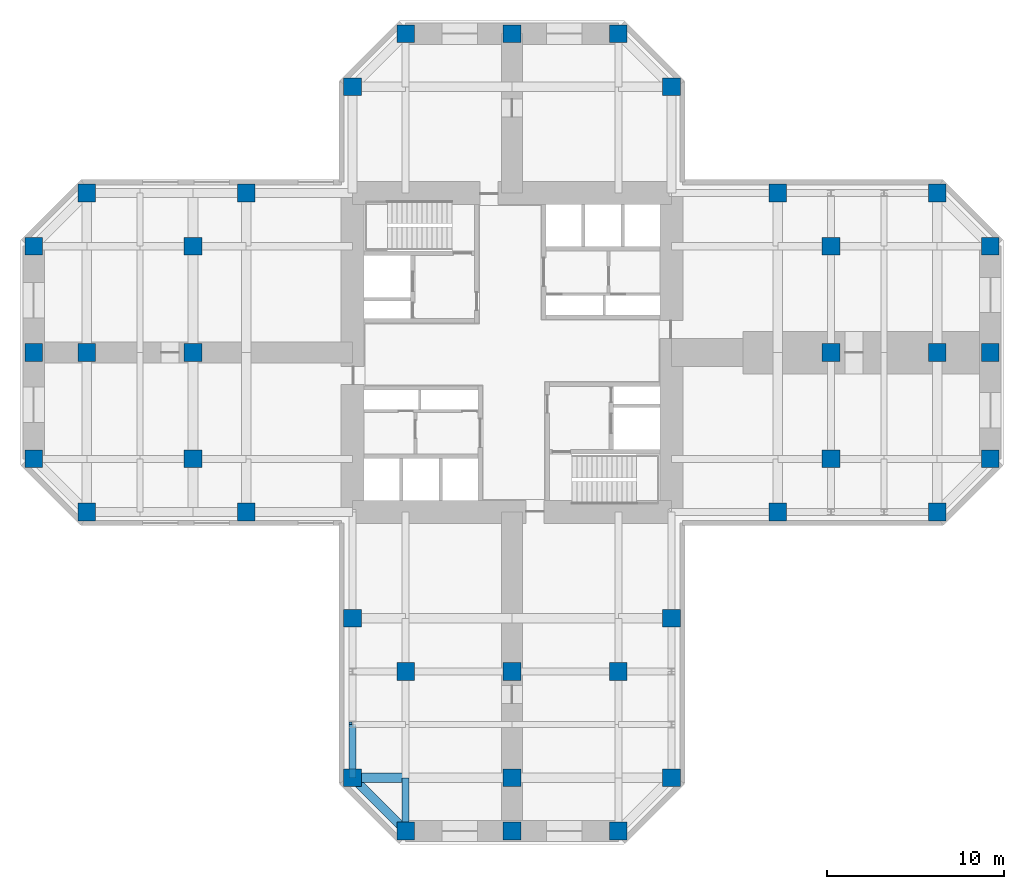
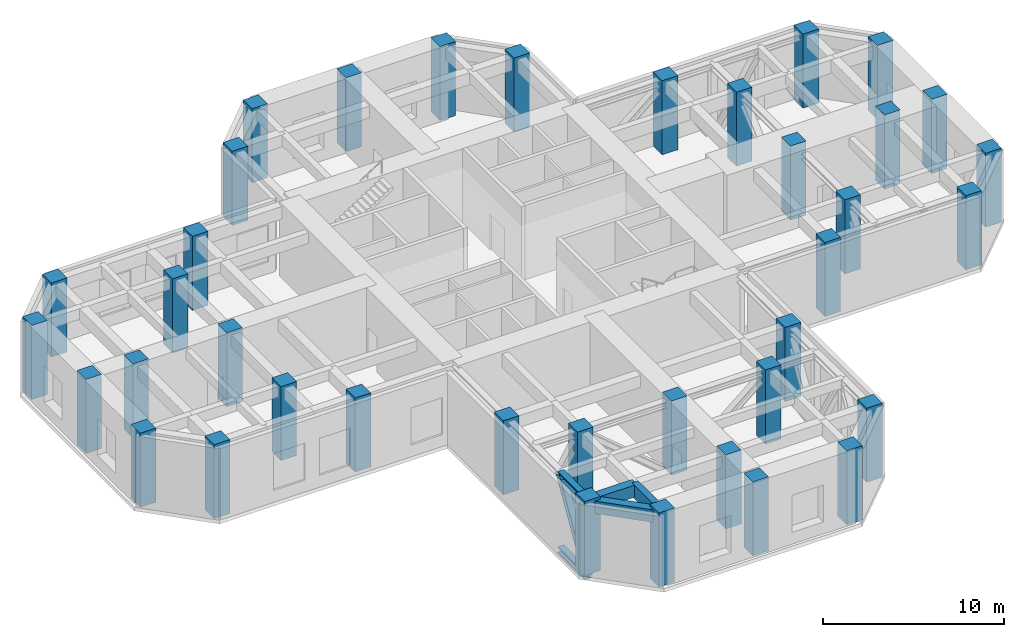
# One storey, part 1 of 8: 38 columns, 3 beams, 3 members.
"""IFC4 building model written with IfcOpenShell, lengths in metres."""

from ifc_helpers import new_model, si_unit, direction, frame, origin, origin_2d, place, context, subcontext, project, spatial, rectangle, i_section, extrude, material, material_profile, profile_set, type_object, element, save


model = new_model("IFC4")

# Units and contexts
model_context = context("Model", 3, precision=1e-05, world=origin(), true_north=direction((0.0, 1.0)))
body_context = subcontext(model_context, "Body", "Model", "MODEL_VIEW")
ifc_project = project(units=[si_unit("LENGTHUNIT", "METRE"), si_unit("AREAUNIT", "SQUARE_METRE"), si_unit("VOLUMEUNIT", "CUBIC_METRE"), si_unit("PLANEANGLEUNIT", "RADIAN"), si_unit("MASSUNIT", "GRAM", prefix="KILO")], contexts=[model_context])

# Site, building, storey
site_placement = place(None, origin())
site = spatial("IfcSite", under=ifc_project, at=site_placement, CompositionType="ELEMENT")
building_placement = place(site_placement, origin())
building = spatial("IfcBuilding", under=site, at=building_placement, Name="Torre Cruceta", CompositionType="ELEMENT")
storey_placement = place(building_placement, frame((0.0, 0.0, 164.5)))
storey = spatial("IfcBuildingStorey", under=building, at=storey_placement, Name="L40", CompositionType="ELEMENT", Elevation=164.5)

# Columns
ifc_material_1 = material(Name="Concrete G60 (fck 60 MPa)", Category="concrete")
ifc_material_profile_1 = material_profile(ifc_material_1, rectangle(XDim=1.0, YDim=1.0, at=origin_2d()), Name="RC 1000X1000")
ifc_profile_set_1 = profile_set([ifc_material_profile_1], Name="Concrete G60 (fck 60 MPa)")
column_type = type_object("IfcColumnType", Name="COLUMN RC 1000X1000", PredefinedType="COLUMN", material=ifc_profile_set_1)
for number, where, z_axis, x_axis, name in (
    (1, (9.0, 15.0, 0.0), (0.0, 0.0, 1.0), (1.0, 0.0, 0.0), "C5 L40 N chamfer"),
    (2, (-9.0, 15.0, 0.0), (0.0, 0.0, 1.0), (1.0, 0.0, 0.0), "C5 L40 N chamfer"),
    (3, (6.0, 18.0, 0.0), (0.0, 0.0, 1.0), (1.0, 0.0, 0.0), "C5 L40 N tip"),
    (4, (0.0, 18.0, 0.0), (0.0, 0.0, 1.0), (1.0, 0.0, 0.0), "C5 L40 N tip"),
    (5, (-6.0, 18.0, 0.0), (0.0, 0.0, 1.0), (1.0, 0.0, 0.0), "C5 L40 N tip"),
    (6, (15.0, -9.0, 0.0), (0.0, 0.0, 1.0), (1.0, 0.0, 0.0), "C5 L40 E side"),
    (7, (24.0, -9.0, 0.0), (0.0, 0.0, 1.0), (1.0, 0.0, 0.0), "C5 L40 E chamfer"),
    (8, (15.0, 9.0, 0.0), (0.0, 0.0, 1.0), (1.0, 0.0, 0.0), "C5 L40 E side"),
    (9, (24.0, 9.0, 0.0), (0.0, 0.0, 1.0), (1.0, 0.0, 0.0), "C5 L40 E chamfer"),
    (10, (27.0, -6.0, 0.0), (0.0, 0.0, 1.0), (1.0, 0.0, 0.0), "C5 L40 E tip"),
    (11, (27.0, 0.0, 0.0), (0.0, 0.0, 1.0), (1.0, 0.0, 0.0), "C5 L40 E tip"),
    (12, (27.0, 6.0, 0.0), (0.0, 0.0, 1.0), (1.0, 0.0, 0.0), "C5 L40 E tip"),
    (13, (-9.0, -15.0, 0.0), (0.0, 0.0, 1.0), (1.0, 0.0, 0.0), "C5 L40 S side"),
    (14, (-9.0, -24.0, 0.0), (0.0, 0.0, 1.0), (1.0, 0.0, 0.0), "C5 L40 S chamfer"),
    (15, (9.0, -15.0, 0.0), (0.0, 0.0, 1.0), (1.0, 0.0, 0.0), "C5 L40 S side"),
    (16, (9.0, -24.0, 0.0), (0.0, 0.0, 1.0), (1.0, 0.0, 0.0), "C5 L40 S chamfer"),
    (17, (-6.0, -27.0, 0.0), (0.0, 0.0, 1.0), (1.0, 0.0, 0.0), "C5 L40 S tip"),
    (18, (0.0, -27.0, 0.0), (0.0, 0.0, 1.0), (1.0, 0.0, 0.0), "C5 L40 S tip"),
    (19, (6.0, -27.0, 0.0), (0.0, 0.0, 1.0), (1.0, 0.0, 0.0), "C5 L40 S tip"),
    (20, (-15.0, 9.0, 0.0), (0.0, 0.0, 1.0), (1.0, 0.0, 0.0), "C5 L40 W side"),
    (21, (-24.0, 9.0, 0.0), (0.0, 0.0, 1.0), (1.0, 0.0, 0.0), "C5 L40 W chamfer"),
    (22, (-15.0, -9.0, 0.0), (0.0, 0.0, 1.0), (1.0, 0.0, 0.0), "C5 L40 W side"),
    (23, (-24.0, -9.0, 0.0), (0.0, 0.0, 1.0), (1.0, 0.0, 0.0), "C5 L40 W chamfer"),
    (24, (-27.0, 6.0, 0.0), (0.0, 0.0, 1.0), (1.0, 0.0, 0.0), "C5 L40 W tip"),
    (25, (-27.0, 0.0, 0.0), (0.0, 0.0, 1.0), (1.0, 0.0, 0.0), "C5 L40 W tip"),
    (26, (-27.0, -6.0, 0.0), (0.0, 0.0, 1.0), (1.0, 0.0, 0.0), "C5 L40 W tip"),
    (27, (18.0, -6.0, 0.0), (0.0, 0.0, 1.0), (1.0, 0.0, 0.0), "C5 L40 E interior"),
    (28, (18.0, 0.0, 0.0), (0.0, 0.0, 1.0), (1.0, 0.0, 0.0), "C5 L40 E interior"),
    (29, (18.0, 6.0, 0.0), (0.0, 0.0, 1.0), (1.0, 0.0, 0.0), "C5 L40 E interior"),
    (30, (24.0, 0.0, 0.0), (0.0, 0.0, 1.0), (1.0, 0.0, 0.0), "C5 L40 E interior"),
    (31, (-6.0, -18.0, 0.0), (0.0, 0.0, 1.0), (1.0, 0.0, 0.0), "C5 L40 S interior"),
    (32, (0.0, -18.0, 0.0), (0.0, 0.0, 1.0), (1.0, 0.0, 0.0), "C5 L40 S interior"),
    (33, (6.0, -18.0, 0.0), (0.0, 0.0, 1.0), (1.0, 0.0, 0.0), "C5 L40 S interior"),
    (34, (0.0, -24.0, 0.0), (0.0, 0.0, 1.0), (1.0, 0.0, 0.0), "C5 L40 S interior"),
    (35, (-18.0, 6.0, 0.0), (0.0, 0.0, 1.0), (1.0, 0.0, 0.0), "C5 L40 W interior"),
    (36, (-18.0, 0.0, 0.0), (0.0, 0.0, 1.0), (1.0, 0.0, 0.0), "C5 L40 W interior"),
    (37, (-18.0, -6.0, 0.0), (0.0, 0.0, 1.0), (1.0, 0.0, 0.0), "C5 L40 W interior"),
    (38, (-24.0, 0.0, 0.0), (0.0, 0.0, 1.0), (1.0, 0.0, 0.0), "C5 L40 W interior"),
):
    element("IfcColumn", number, at=place(storey_placement, frame(where, z_axis=z_axis, x_axis=x_axis)), inside=storey, type_object=column_type, Name=name, PredefinedType="COLUMN", context=body_context, shape_type="SweptSolid", body=[
        extrude(rectangle(XDim=1.0, YDim=1.0, at=origin_2d()), origin(), (0.0, 0.0, 1.0), 5.0),
    ])

# Beams
ifc_material_2 = material(Name="Concrete G60 (fck 60 MPa)", Category="concrete")
ifc_material_profile_2 = material_profile(ifc_material_2, rectangle(XDim=0.39990234375, YDim=0.89990234375, at=origin_2d()), Name="RC 400X900")
ifc_profile_set_2 = profile_set([ifc_material_profile_2], Name="Concrete G60 (fck 60 MPa)")
beam_type_1 = type_object("IfcBeamType", Name="COLUMN LINE BEAM RC 400X900", PredefinedType="BEAM", material=ifc_profile_set_2)
beam_1_placement = place(storey_placement, frame((-6.0, -24.0, 4.3701171875), z_axis=(0.0, -1.0, 0.0), x_axis=(1.0, 0.0, 0.0)))
element("IfcBeam", 39, at=beam_1_placement, inside=storey, type_object=beam_type_1, Name="LB6 L40 S col- 5", PredefinedType="BEAM", context=body_context, shape_type="SweptSolid", body=[
    extrude(rectangle(XDim=0.39990234375, YDim=0.89990234375, at=origin_2d()), origin(), (0.0, 0.0, 1.0), 3.0),
])
ifc_material_3 = material(Name="Concrete G60 (fck 60 MPa)", Category="concrete")
ifc_material_profile_3 = material_profile(ifc_material_3, rectangle(XDim=0.550048828125, YDim=0.800048828125, at=origin_2d()), Name="RC 550X800")
ifc_profile_set_3 = profile_set([ifc_material_profile_3], Name="Concrete G60 (fck 60 MPa)")
beam_type_2 = type_object("IfcBeamType", Name="CROSS BEAM RC 550X800", PredefinedType="BEAM", material=ifc_profile_set_3)
beam_2_placement = place(storey_placement, frame((-9.0, -24.0, 4.419921875), z_axis=(1.0, 0.0, 0.0), x_axis=(0.0, 1.0, 0.0)))
element("IfcBeam", 40, at=beam_2_placement, inside=storey, type_object=beam_type_2, Name="GB5 L40 S cross24 1", PredefinedType="BEAM", context=body_context, shape_type="SweptSolid", body=[
    extrude(rectangle(XDim=0.550048828125, YDim=0.800048828125, at=origin_2d()), origin(), (0.0, 0.0, 1.0), 3.0),
])

# Members
ifc_material_4 = material(Name="Steel A913 Gr65", Category="steel")
ifc_material_profile_4 = material_profile(ifc_material_4, i_section(OverallWidth=0.41162109375, OverallDepth=0.434326171875, WebThickness=0.035888671875, FlangeThickness=0.057373046875, at=origin_2d()), Name="W14X311")
ifc_profile_set_4 = profile_set([ifc_material_profile_4], Name="Steel A913 Gr65")
member_type_1 = type_object("IfcMemberType", Name="OUTRIGGER TRUSS CHORD 2 W14X311", PredefinedType="CHORD", material=ifc_profile_set_4)
for number, where, z_axis, x_axis, name in (
    (41, (-9.0, -21.0, -0.467041015625), (0.0, -1.0, 0.0), (1.0, 0.0, 0.0), "Outrigger truss 2 S S-B4"),
    (42, (-9.0, -21.0, 4.602783203125), (0.0, -1.0, 0.0), (1.0, 0.0, 0.0), "Outrigger truss 2 S S-T4"),
):
    element("IfcMember", number, at=place(storey_placement, frame(where, z_axis=z_axis, x_axis=x_axis)), inside=storey, type_object=member_type_1, Name=name, PredefinedType="CHORD", context=body_context, shape_type="SweptSolid", body=[
        extrude(i_section(OverallWidth=0.41162109375, OverallDepth=0.434326171875, WebThickness=0.035888671875, FlangeThickness=0.057373046875, at=origin_2d()), origin(), (0.0, 0.0, 1.0), 3.0),
    ])
ifc_material_5 = material(Name="Steel A913 Gr65", Category="steel")
ifc_material_profile_5 = material_profile(ifc_material_5, i_section(OverallWidth=0.41162109375, OverallDepth=0.434326171875, WebThickness=0.035888671875, FlangeThickness=0.057373046875, at=origin_2d()), Name="W14X311")
ifc_profile_set_5 = profile_set([ifc_material_profile_5], Name="Steel A913 Gr65")
member_type_2 = type_object("IfcMemberType", Name="OUTRIGGER TRUSS DIAGONAL 2 W14X311", PredefinedType="BRACE", material=ifc_profile_set_5)
member_placement = place(storey_placement, frame((-9.0, -24.0, -0.467041015625), z_axis=(0.0, 0.509257001606, 0.860614493438), x_axis=(-1.0, 0.0, 0.0)))
element("IfcMember", 43, at=member_placement, inside=storey, type_object=member_type_2, Name="Outrigger truss 2 S S-D4", PredefinedType="BRACE", context=body_context, shape_type="SweptSolid", body=[
    extrude(i_section(OverallWidth=0.41162109375, OverallDepth=0.434326171875, WebThickness=0.035888671875, FlangeThickness=0.057373046875, at=origin_2d()), origin(), (0.0, 0.0, 1.0), 5.890869140625),
])

# Beam
ifc_material_6 = material(Name="Concrete G60 (fck 60 MPa)", Category="concrete")
ifc_material_profile_6 = material_profile(ifc_material_6, rectangle(XDim=0.5, YDim=0.85009765625, at=origin_2d()), Name="RC 500X850")
ifc_profile_set_6 = profile_set([ifc_material_profile_6], Name="Concrete G60 (fck 60 MPa)")
beam_type_3 = type_object("IfcBeamType", Name="SPANDREL BEAM RC 500X850", PredefinedType="SPANDREL", material=ifc_profile_set_6)
beam_3_placement = place(storey_placement, frame((-9.0, -24.0, 4.39501953125), z_axis=(0.707106781187, -0.707106781187, 0.0), x_axis=(0.707106781187, 0.707106781187, 0.0)))
element("IfcBeam", 44, at=beam_3_placement, inside=storey, type_object=beam_type_3, Name="SB5 L40 S side- 5", PredefinedType="SPANDREL", context=body_context, shape_type="SweptSolid", body=[
    extrude(rectangle(XDim=0.5, YDim=0.85009765625, at=origin_2d()), origin(), (0.0, 0.0, 1.0), 4.24267578125),
])

save(model, "model.ifc")
